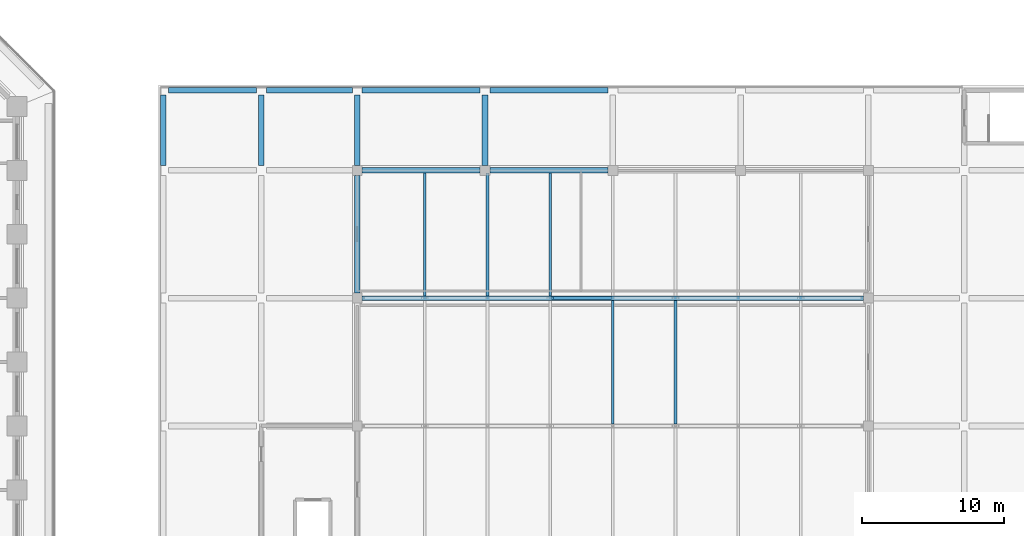
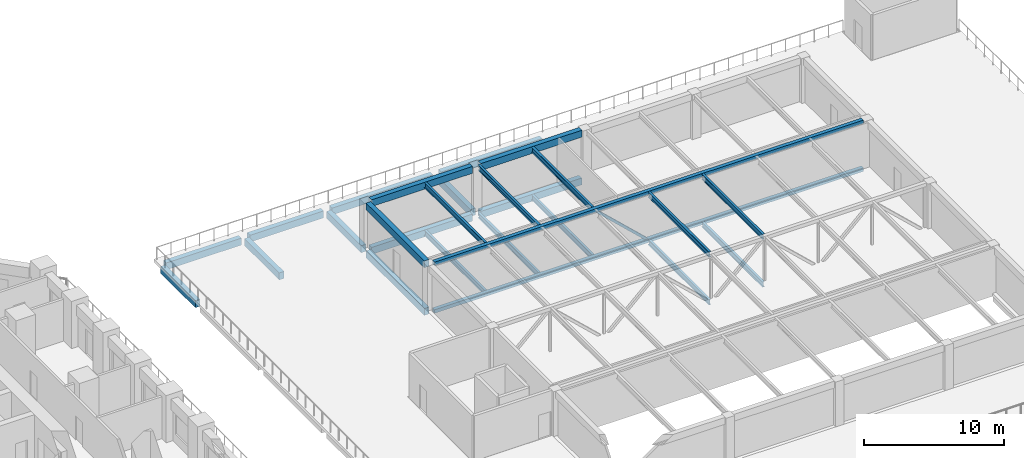
# One storey, part 12 of 30: 24 beams, 3 members.
"""IFC4 building model written with IfcOpenShell, lengths in metres."""

import ifcopenshell
import ifcopenshell.guid

model = None  # the IFC model being written
_history = None  # IfcOwnerHistory: only IFC2X3 demands one
_inside = {}  # id of a spatial element -> (the spatial element, [elements in it])
_under = {}  # id of a project, library or spatial element -> (it, [spatial elements below it])
_declared = {}  # id of a project -> (the project, [libraries it declares])
_typed = {}  # id of a type object -> (the type object, [elements of that type])
_made_of = {}  # id of a material, layer set ... -> (it, [elements and type objects made of it])


def new_model(schema):
    """Start an empty IFC model of exactly this schema.

    Asked for "IFC4X3", IfcOpenShell would pick the latest addendum, in which some entities
    have other attributes; the version numbers below select the first issue.
    IFC2X3 requires an IfcOwnerHistory on every rooted entity: one is made here for all.
    """
    global model, _history
    if schema == "IFC4X3":
        model = ifcopenshell.file(schema_version=(4, 3, 0, 0))
    else:
        model = ifcopenshell.file(schema=schema)
    _inside.clear()
    _under.clear()
    _declared.clear()
    _typed.clear()
    _made_of.clear()
    _history = None
    if model.schema == "IFC2X3":
        org = make("IfcOrganization", Name="unknown")
        user = make(
            "IfcPersonAndOrganization",
            ThePerson=make("IfcPerson", FamilyName="unknown"),
            TheOrganization=org,
        )
        app = make(
            "IfcApplication",
            ApplicationDeveloper=org,
            Version="unknown",
            ApplicationFullName="unknown",
            ApplicationIdentifier="unknown",
        )
        _history = make(
            "IfcOwnerHistory",
            OwningUser=user,
            OwningApplication=app,
            ChangeAction="ADDED",
            CreationDate=0,
        )
    return model


def make(cls, **values):
    """One entity of the class cls with the attributes given. An attribute that is None is left unset."""
    return model.create_entity(
        cls, **{name: value for name, value in values.items() if value is not None}
    )


def rooted(cls, **values):
    """An entity with a GlobalId (a new one), such as an element, a storey or a relation."""
    return make(cls, GlobalId=ifcopenshell.guid.new(), OwnerHistory=_history, **values)


def si_unit(unit_type, name, prefix=None):
    """IfcSIUnit, for example si_unit("LENGTHUNIT", "METRE", prefix="MILLI")."""
    return make("IfcSIUnit", UnitType=unit_type, Prefix=prefix, Name=name)


def assignment(units):
    """IfcUnitAssignment: the units of a project."""
    return None if units is None else make("IfcUnitAssignment", Units=units)


def point(xyz):
    """IfcCartesianPoint."""
    return None if xyz is None else make("IfcCartesianPoint", Coordinates=xyz)


def direction(xyz):
    """IfcDirection."""
    return None if xyz is None else make("IfcDirection", DirectionRatios=xyz)


def frame(location, z_axis=None, x_axis=None):
    """IfcAxis2Placement3D, a coordinate frame: its origin and axes. An axis left out is left unset."""
    return make(
        "IfcAxis2Placement3D",
        Location=point(location),
        Axis=direction(z_axis),
        RefDirection=direction(x_axis),
    )


def frame_2d(location, x_axis=None):
    """IfcAxis2Placement2D, a coordinate frame in the plane: its origin and x axis."""
    return make(
        "IfcAxis2Placement2D", Location=point(location), RefDirection=direction(x_axis)
    )


def origin():
    """The frame at (0, 0, 0) with its axes left unset."""
    return frame((0.0, 0.0, 0.0))


def origin_2d():
    """The frame at (0, 0) in the plane with its x axis left unset."""
    return frame_2d((0.0, 0.0))


def place(relative_to, where):
    """IfcLocalPlacement: puts the frame where relative to a parent placement (None: the world)."""
    return make(
        "IfcLocalPlacement", PlacementRelTo=relative_to, RelativePlacement=where
    )


def context(
    kind, dimensions, precision=None, world=None, true_north=None, identifier=None
):
    """IfcGeometricRepresentationContext, for example the 3D "Model" context."""
    return make(
        "IfcGeometricRepresentationContext",
        ContextIdentifier=identifier,
        ContextType=kind,
        CoordinateSpaceDimension=dimensions,
        Precision=precision,
        WorldCoordinateSystem=world,
        TrueNorth=true_north,
    )


def subcontext(parent, identifier, kind, view, scale=None):
    """IfcGeometricRepresentationSubContext, for example "Body" below "Model"."""
    return make(
        "IfcGeometricRepresentationSubContext",
        ContextIdentifier=identifier,
        ContextType=kind,
        ParentContext=parent,
        TargetScale=scale,
        TargetView=view,
    )


def project(units=None, contexts=None):
    """IfcProject with its units and contexts."""
    return rooted(
        "IfcProject",
        Name="project",
        RepresentationContexts=contexts,
        UnitsInContext=assignment(units),
    )


def spatial(cls, under=None, at=None, **own):
    """A site, building, storey or space (cls), placed at a placement, below another one or the project."""
    s = rooted(cls, ObjectPlacement=at, **own)
    if under is not None:
        _under.setdefault(under.id(), (under, []))[1].append(s)
    return s


def profile(cls, at=None, kind="AREA", **sizes):
    """A parametric profile (cls). Its sizes go by their IFC names, for example OverallWidth=200.0."""
    return make(cls, ProfileType=kind, Position=at, **sizes)


def rectangle(**sizes):
    """IfcRectangleProfileDef."""
    return profile("IfcRectangleProfileDef", **sizes)


def hollow_rectangle(**sizes):
    """IfcRectangleHollowProfileDef."""
    return profile("IfcRectangleHollowProfileDef", **sizes)


def i_section(**sizes):
    """IfcIShapeProfileDef."""
    return profile("IfcIShapeProfileDef", **sizes)


def extrude(swept, where, along, depth):
    """IfcExtrudedAreaSolid: the profile swept, set in the frame where, extruded along a direction by depth."""
    return make(
        "IfcExtrudedAreaSolid",
        SweptArea=swept,
        Position=where,
        ExtrudedDirection=direction(along),
        Depth=depth,
    )


def shape(context_of_items, identifier, shape_type, items):
    """IfcShapeRepresentation: the items that make up one representation, for example the "Body"."""
    return make(
        "IfcShapeRepresentation",
        ContextOfItems=context_of_items,
        RepresentationIdentifier=identifier,
        RepresentationType=shape_type,
        Items=items,
    )


def material(Name=None, Category=None):
    """IfcMaterial."""
    return make("IfcMaterial", Name=Name, Category=Category)


def material_profile(
    of_material, cross_section, Name=None, Category=None, Priority=None
):
    """IfcMaterialProfile: a cross section and its material."""
    return make(
        "IfcMaterialProfile",
        Name=Name,
        Material=of_material,
        Profile=cross_section,
        Priority=Priority,
        Category=Category,
    )


def profile_set(profiles, Name=None, composite=None):
    """IfcMaterialProfileSet."""
    return make(
        "IfcMaterialProfileSet",
        Name=Name,
        MaterialProfiles=profiles,
        CompositeProfile=composite,
    )


def made_of(thing, what):
    """Note that an element or type object is made of a material, layer set ...; save() writes the relation."""
    if what is not None:
        _made_of.setdefault(what.id(), (what, []))[1].append(thing)
    return thing


def type_object(cls, material=None, **own):
    """A type object (cls), such as IfcWallType, which elements share."""
    return made_of(rooted(cls, **own), material)


def element(
    cls,
    number,
    at=None,
    inside=None,
    cuts=None,
    type_object=None,
    material=None,
    context=None,
    identifier="Body",
    shape_type=None,
    held_by="IfcProductDefinitionShape",
    body=None,
    shapes=None,
    **own,
):
    """One element of the class cls, such as IfcWall. Its Tag is "e" and its number.

    at: its placement. inside: the storey or other place that contains it. cuts: it is an
    opening in that element (IfcRelVoidsElement). A single representation is given by context,
    identifier, shape_type and body (its items); several are given by shapes. held_by: the class
    of the entity that holds the representations. save() writes the other relations.
    """
    e = rooted(cls, Tag="e%d" % number, ObjectPlacement=at, **own)
    if body is not None:
        shapes = [shape(context, identifier, shape_type, body)]
    if shapes is not None:
        e.Representation = make(held_by, Representations=shapes)
    if inside is not None:
        _inside.setdefault(inside.id(), (inside, []))[1].append(e)
    if cuts is not None:
        rooted(
            "IfcRelVoidsElement", RelatingBuildingElement=cuts, RelatedOpeningElement=e
        )
    if type_object is not None:
        _typed.setdefault(type_object.id(), (type_object, []))[1].append(e)
    return made_of(e, material)


def aggregate(whole, parts):
    """IfcRelAggregates: a whole, such as a stair, and the parts it consists of."""
    return rooted("IfcRelAggregates", RelatingObject=whole, RelatedObjects=parts)


def save(model, path):
    """Write the relations noted so far, then the file.

    IfcRelAggregates (storeys below a building ...), IfcRelContainedInSpatialStructure (elements
    in a storey), IfcRelDefinesByType, IfcRelAssociatesMaterial and IfcRelDeclares: one each for
    every whole, place, type object, material and project.
    """
    for whole, parts in _under.values():
        aggregate(whole, parts)
    for where, things in _inside.values():
        rooted(
            "IfcRelContainedInSpatialStructure",
            RelatedElements=things,
            RelatingStructure=where,
        )
    for kind, things in _typed.values():
        rooted("IfcRelDefinesByType", RelatedObjects=things, RelatingType=kind)
    for what, things in _made_of.values():
        rooted("IfcRelAssociatesMaterial", RelatedObjects=things, RelatingMaterial=what)
    for by, libraries in _declared.values():
        rooted("IfcRelDeclares", RelatingContext=by, RelatedDefinitions=libraries)
    model.write(path)


model = new_model("IFC4")

# Units and contexts
model_context = context("Model", 3, precision=1e-05, world=origin(), true_north=direction((0.0, 1.0)))
body_context = subcontext(model_context, "Body", "Model", "MODEL_VIEW")
ifc_project = project(units=[si_unit("LENGTHUNIT", "METRE"), si_unit("AREAUNIT", "SQUARE_METRE"), si_unit("VOLUMEUNIT", "CUBIC_METRE"), si_unit("PLANEANGLEUNIT", "RADIAN"), si_unit("MASSUNIT", "GRAM", prefix="KILO")], contexts=[model_context])

# Site, building, storey
site_placement = place(None, origin())
site = spatial("IfcSite", under=ifc_project, at=site_placement, CompositionType="ELEMENT")
building_placement = place(site_placement, origin())
building = spatial("IfcBuilding", under=site, at=building_placement, Name="Corbel Stack Research Tower", CompositionType="ELEMENT")
storey_placement = place(building_placement, frame((0.0, 0.0, 19.5)))
storey = spatial("IfcBuildingStorey", under=building, at=storey_placement, Name="L04", CompositionType="ELEMENT", Elevation=19.5)

# Beams
ifc_material_1 = material(Name="Concrete C40/50", Category="concrete")
ifc_material_profile_1 = material_profile(ifc_material_1, rectangle(XDim=0.39990234375, YDim=0.60009765625, at=origin_2d()), Name="RC 400 x 600")
ifc_profile_set_1 = profile_set([ifc_material_profile_1], Name="Concrete C40/50")
beam_type_1 = type_object("IfcBeamType", Name="HB1 RC beam 400 x 600", PredefinedType="BEAM", material=ifc_profile_set_1)
beam_1_placement = place(storey_placement, frame((37.300048828125, 18.35009765625, -0.550048828125), z_axis=(0.0, 1.0, 0.0), x_axis=(-1.0, 0.0, 0.0)))
element("IfcBeam", 1, at=beam_1_placement, inside=storey, type_object=beam_type_1, Name="Floor beam L04 H1HF-H1HG", PredefinedType="BEAM", context=body_context, shape_type="SweptSolid", body=[
    extrude(rectangle(XDim=0.39990234375, YDim=0.60009765625, at=origin_2d()), origin(), (0.0, 0.0, 1.0), 4.949951171875),
])
beam_2_placement = place(storey_placement, frame((37.64990234375, 23.64990234375, -0.550048828125), z_axis=(1.0, 0.0, 0.0), x_axis=(0.0, 1.0, 0.0)))
element("IfcBeam", 2, at=beam_2_placement, inside=storey, type_object=beam_type_1, Name="Floor beam L04 H1HG-H2HG", PredefinedType="BEAM", context=body_context, shape_type="SweptSolid", body=[
    extrude(rectangle(XDim=0.39990234375, YDim=0.60009765625, at=origin_2d()), origin(), (0.0, 0.0, 1.0), 6.2001953125),
])
beam_3_placement = place(storey_placement, frame((44.199951171875, 18.35009765625, -0.550048828125), z_axis=(0.0, 1.0, 0.0), x_axis=(-1.0, 0.0, 0.0)))
element("IfcBeam", 3, at=beam_3_placement, inside=storey, type_object=beam_type_1, Name="Floor beam L04 H2HF-H2HG", PredefinedType="BEAM", context=body_context, shape_type="SweptSolid", body=[
    extrude(rectangle(XDim=0.39990234375, YDim=0.60009765625, at=origin_2d()), origin(), (0.0, 0.0, 1.0), 4.949951171875),
])
beam_4_placement = place(storey_placement, frame((44.550048828125, 23.64990234375, -0.550048828125), z_axis=(1.0, 0.0, 0.0), x_axis=(0.0, 1.0, 0.0)))
element("IfcBeam", 4, at=beam_4_placement, inside=storey, type_object=beam_type_1, Name="Floor beam L04 H2HG-H3HG", PredefinedType="BEAM", context=body_context, shape_type="SweptSolid", body=[
    extrude(rectangle(XDim=0.39990234375, YDim=0.60009765625, at=origin_2d()), origin(), (0.0, 0.0, 1.0), 6.050048828125),
])
beam_5_placement = place(storey_placement, frame((50.949951171875, 9.35009765625, -0.550048828125), z_axis=(0.0, 1.0, 0.0), x_axis=(-1.0, 0.0, 0.0)))
element("IfcBeam", 5, at=beam_5_placement, inside=storey, type_object=beam_type_1, Name="Floor beam L04 H3HE-H3HF", PredefinedType="BEAM", context=body_context, shape_type="SweptSolid", body=[
    extrude(rectangle(XDim=0.39990234375, YDim=0.60009765625, at=origin_2d()), origin(), (0.0, 0.0, 1.0), 8.2998046875),
])
beam_6_placement = place(storey_placement, frame((51.300048828125, 18.0, -0.550048828125), z_axis=(1.0, 0.0, 0.0), x_axis=(0.0, 1.0, 0.0)))
element("IfcBeam", 6, at=beam_6_placement, inside=storey, type_object=beam_type_1, Name="Floor beam L04 H3HF-H4HF", PredefinedType="BEAM", context=body_context, shape_type="SweptSolid", body=[
    extrude(rectangle(XDim=0.39990234375, YDim=0.60009765625, at=origin_2d()), origin(), (0.0, 0.0, 1.0), 8.300048828125),
])
beam_7_placement = place(storey_placement, frame((50.949951171875, 18.35009765625, -0.550048828125), z_axis=(0.0, 1.0, 0.0), x_axis=(-1.0, 0.0, 0.0)))
element("IfcBeam", 7, at=beam_7_placement, inside=storey, type_object=beam_type_1, Name="Floor beam L04 H3HF-H3HG", PredefinedType="BEAM", context=body_context, shape_type="SweptSolid", body=[
    extrude(rectangle(XDim=0.39990234375, YDim=0.60009765625, at=origin_2d()), origin(), (0.0, 0.0, 1.0), 4.949951171875),
])
for number, where, z_axis, x_axis, name in (
    (8, (51.300048828125, 23.64990234375, -0.550048828125), (1.0, 0.0, 0.0), (0.0, 1.0, 0.0), "Floor beam L04 H3HG-H4HG"),
    (9, (60.300048828125, 18.0, -0.550048828125), (1.0, 0.0, 0.0), (0.0, 1.0, 0.0), "Floor beam L04 H4HF-H5HF"),
):
    element("IfcBeam", number, at=place(storey_placement, frame(where, z_axis=z_axis, x_axis=x_axis)), inside=storey, type_object=beam_type_1, Name=name, PredefinedType="BEAM", context=body_context, shape_type="SweptSolid", body=[
        extrude(rectangle(XDim=0.39990234375, YDim=0.60009765625, at=origin_2d()), origin(), (0.0, 0.0, 1.0), 8.300048828125),
    ])
beam_8_placement = place(storey_placement, frame((59.949951171875, 18.35009765625, -0.550048828125), z_axis=(0.0, 1.0, 0.0), x_axis=(-1.0, 0.0, 0.0)))
element("IfcBeam", 10, at=beam_8_placement, inside=storey, type_object=beam_type_1, Name="Floor beam L04 H4HF-H4HG", PredefinedType="BEAM", context=body_context, shape_type="SweptSolid", body=[
    extrude(rectangle(XDim=0.39990234375, YDim=0.60009765625, at=origin_2d()), origin(), (0.0, 0.0, 1.0), 4.949951171875),
])
beam_9_placement = place(storey_placement, frame((60.300048828125, 23.64990234375, -0.550048828125), z_axis=(1.0, 0.0, 0.0), x_axis=(0.0, 1.0, 0.0)))
element("IfcBeam", 11, at=beam_9_placement, inside=storey, type_object=beam_type_1, Name="Floor beam L04 H4HG-H5HG", PredefinedType="BEAM", context=body_context, shape_type="SweptSolid", body=[
    extrude(rectangle(XDim=0.39990234375, YDim=0.60009765625, at=origin_2d()), origin(), (0.0, 0.0, 1.0), 8.300048828125),
])
beam_10_placement = place(storey_placement, frame((50.949951171875, 9.35009765625, 3.60009765625), z_axis=(0.0, 1.0, 0.0), x_axis=(-1.0, 0.0, 0.0)))
element("IfcBeam", 12, at=beam_10_placement, inside=storey, type_object=beam_type_1, Name="Floor beam R H3HE-H3HF", PredefinedType="BEAM", context=body_context, shape_type="SweptSolid", body=[
    extrude(rectangle(XDim=0.39990234375, YDim=0.60009765625, at=origin_2d()), origin(), (0.0, 0.0, 1.0), 8.2998046875),
])
for number, where, z_axis, x_axis, name in (
    (13, (51.300048828125, 18.0, 3.60009765625), (1.0, 0.0, 0.0), (0.0, 1.0, 0.0), "Floor beam R H3HF-H4HF"),
    (14, (60.300048828125, 18.0, 3.60009765625), (1.0, 0.0, 0.0), (0.0, 1.0, 0.0), "Floor beam R H4HF-H5HF"),
):
    element("IfcBeam", number, at=place(storey_placement, frame(where, z_axis=z_axis, x_axis=x_axis)), inside=storey, type_object=beam_type_1, Name=name, PredefinedType="BEAM", context=body_context, shape_type="SweptSolid", body=[
        extrude(rectangle(XDim=0.39990234375, YDim=0.60009765625, at=origin_2d()), origin(), (0.0, 0.0, 1.0), 8.300048828125),
    ])
ifc_material_2 = material(Name="Steel S355", Category="steel")
ifc_material_profile_2 = material_profile(ifc_material_2, i_section(OverallWidth=0.18994140625, OverallDepth=0.45703125, WebThickness=0.009033203125, FlangeThickness=0.013916015625, at=origin_2d()), Name="W18x50")
ifc_profile_set_2 = profile_set([ifc_material_profile_2], Name="Steel S355")
beam_type_2 = type_object("IfcBeamType", Name="HB3 steel beam W18x50", PredefinedType="BEAM", material=ifc_profile_set_2)
for number, where, z_axis, x_axis, name in (
    (15, (68.949951171875, 0.152587890625, -0.478515625), (0.0, 1.0, 0.0), (-1.0, 0.0, 0.0), "Steel floor beam L04 bay 3 line 4"),
    (16, (73.362548828125, 0.152587890625, -0.478515625), (0.0, 1.0, 0.0), (-1.0, 0.0, 0.0), "Steel floor beam L04 bay 3 line 5"),
):
    element("IfcBeam", number, at=place(storey_placement, frame(where, z_axis=z_axis, x_axis=x_axis)), inside=storey, type_object=beam_type_2, Name=name, PredefinedType="BEAM", context=body_context, shape_type="SweptSolid", body=[
        extrude(i_section(OverallWidth=0.18994140625, OverallDepth=0.45703125, WebThickness=0.009033203125, FlangeThickness=0.013916015625, at=origin_2d()), origin(), (0.0, 0.0, 1.0), 8.69482421875),
    ])
for number, where, z_axis, x_axis, name in (
    (17, (55.71240234375, 9.152587890625, -0.478515625), (0.0, 1.0, 0.0), (-1.0, 0.0, 0.0), "Steel floor beam L04 bay 4 line 1"),
    (18, (60.125, 9.152587890625, -0.478515625), (0.0, 1.0, 0.0), (-1.0, 0.0, 0.0), "Steel floor beam L04 bay 4 line 2"),
    (19, (64.53759765625, 9.152587890625, -0.478515625), (0.0, 1.0, 0.0), (-1.0, 0.0, 0.0), "Steel floor beam L04 bay 4 line 3"),
):
    element("IfcBeam", number, at=place(storey_placement, frame(where, z_axis=z_axis, x_axis=x_axis)), inside=storey, type_object=beam_type_2, Name=name, PredefinedType="BEAM", context=body_context, shape_type="SweptSolid", body=[
        extrude(i_section(OverallWidth=0.18994140625, OverallDepth=0.45703125, WebThickness=0.009033203125, FlangeThickness=0.013916015625, at=origin_2d()), origin(), (0.0, 0.0, 1.0), 8.6474609375),
    ])
for number, where, z_axis, x_axis, name in (
    (20, (68.949951171875, 0.152587890625, 3.67138671875), (0.0, 1.0, 0.0), (-1.0, 0.0, 0.0), "Steel floor beam R bay 3 line 4"),
    (21, (73.362548828125, 0.152587890625, 3.67138671875), (0.0, 1.0, 0.0), (-1.0, 0.0, 0.0), "Steel floor beam R bay 3 line 5"),
):
    element("IfcBeam", number, at=place(storey_placement, frame(where, z_axis=z_axis, x_axis=x_axis)), inside=storey, type_object=beam_type_2, Name=name, PredefinedType="BEAM", context=body_context, shape_type="SweptSolid", body=[
        extrude(i_section(OverallWidth=0.18994140625, OverallDepth=0.45703125, WebThickness=0.009033203125, FlangeThickness=0.013916015625, at=origin_2d()), origin(), (0.0, 0.0, 1.0), 8.69482421875),
    ])
for number, where, z_axis, x_axis, name in (
    (22, (55.71240234375, 9.152587890625, 3.67138671875), (0.0, 1.0, 0.0), (-1.0, 0.0, 0.0), "Steel floor beam R bay 4 line 1"),
    (23, (60.125, 9.152587890625, 3.67138671875), (0.0, 1.0, 0.0), (-1.0, 0.0, 0.0), "Steel floor beam R bay 4 line 2"),
    (24, (64.53759765625, 9.152587890625, 3.67138671875), (0.0, 1.0, 0.0), (-1.0, 0.0, 0.0), "Steel floor beam R bay 4 line 3"),
):
    element("IfcBeam", number, at=place(storey_placement, frame(where, z_axis=z_axis, x_axis=x_axis)), inside=storey, type_object=beam_type_2, Name=name, PredefinedType="BEAM", context=body_context, shape_type="SweptSolid", body=[
        extrude(i_section(OverallWidth=0.18994140625, OverallDepth=0.45703125, WebThickness=0.009033203125, FlangeThickness=0.013916015625, at=origin_2d()), origin(), (0.0, 0.0, 1.0), 8.6474609375),
    ])

# Members
ifc_material_3 = material(Name="Steel S355", Category="steel")
ifc_material_profile_3 = material_profile(ifc_material_3, hollow_rectangle(XDim=0.304931640625, YDim=0.304931640625, WallThickness=0.014892578125, at=origin_2d()), Name="HSS12x12x5/8")
ifc_profile_set_3 = profile_set([ifc_material_profile_3], Name="Steel S355")
member_type_1 = type_object("IfcMemberType", Name="HT1 truss chord HSS12x12x5/8", PredefinedType="CHORD", material=ifc_profile_set_3)
for number, where, z_axis, x_axis, name in (
    (25, (51.300048828125, 9.0, -0.402587890625), (1.0, 0.0, 0.0), (0.0, 1.0, 0.0), "Truss TB3 bottom chord"),
    (26, (51.300048828125, 9.0, 3.74755859375), (1.0, 0.0, 0.0), (0.0, 1.0, 0.0), "Truss TB3 top chord"),
):
    element("IfcMember", number, at=place(storey_placement, frame(where, z_axis=z_axis, x_axis=x_axis)), inside=storey, type_object=member_type_1, Name=name, PredefinedType="CHORD", context=body_context, shape_type="SweptSolid", body=[
        extrude(hollow_rectangle(XDim=0.304931640625, YDim=0.304931640625, WallThickness=0.014892578125, at=origin_2d()), origin(), (0.0, 0.0, 1.0), 35.300048828125),
    ])
ifc_material_4 = material(Name="Steel S355", Category="steel")
ifc_material_profile_4 = material_profile(ifc_material_4, hollow_rectangle(XDim=0.202880859375, YDim=0.202880859375, WallThickness=0.0087890625, at=origin_2d()), Name="HSS8x8x3/8")
ifc_profile_set_4 = profile_set([ifc_material_profile_4], Name="Steel S355")
member_type_2 = type_object("IfcMemberType", Name="HT2 truss diagonal HSS8x8x3/8", PredefinedType="BRACE", material=ifc_profile_set_4)
member_placement = place(storey_placement, frame((64.69970703125, 9.0, 3.594970703125), z_axis=(0.728438769744, 0.0, -0.685110909805), x_axis=(0.0, 1.0, 0.0)))
element("IfcMember", 27, at=member_placement, inside=storey, type_object=member_type_2, Name="Truss TB3 diagonal 4", PredefinedType="BRACE", context=body_context, shape_type="SweptSolid", body=[
    extrude(hollow_rectangle(XDim=0.202880859375, YDim=0.202880859375, WallThickness=0.0087890625, at=origin_2d()), origin(), (0.0, 0.0, 1.0), 5.6123046875),
])

save(model, "model.ifc")
